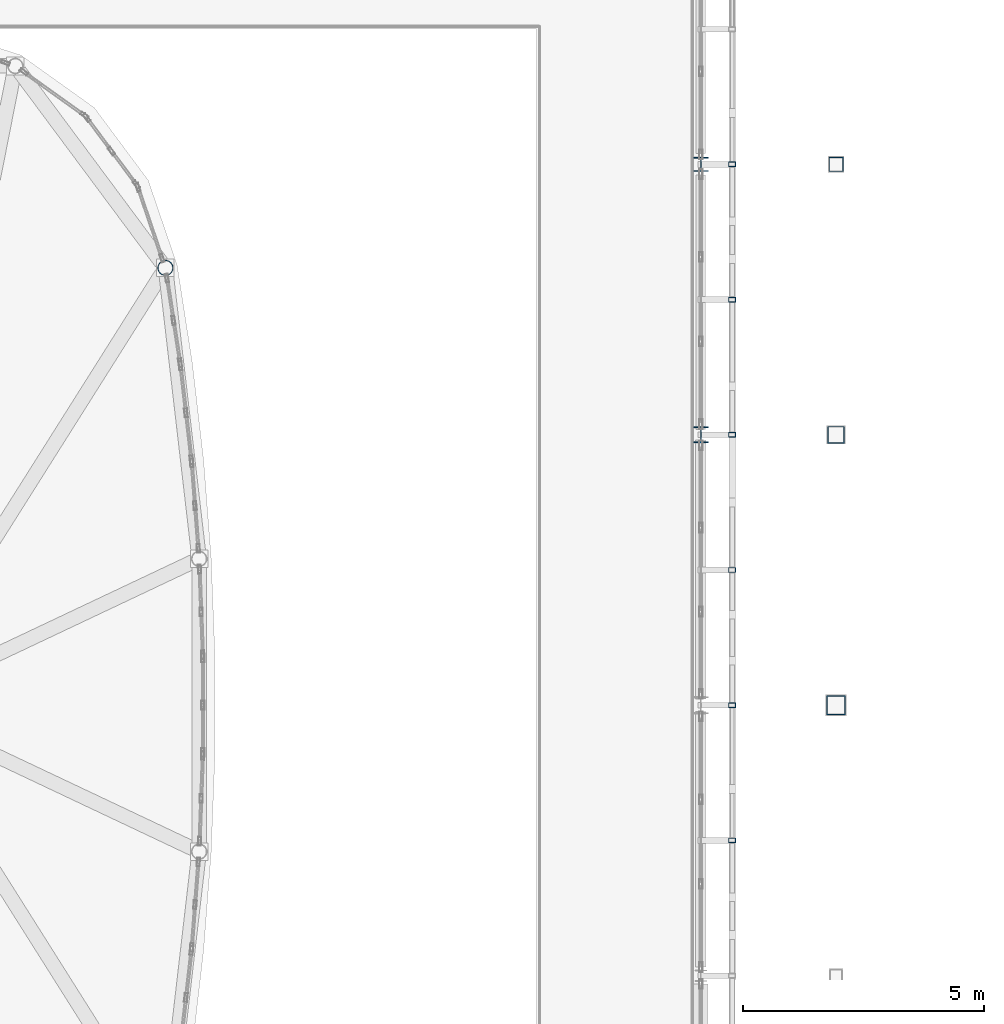
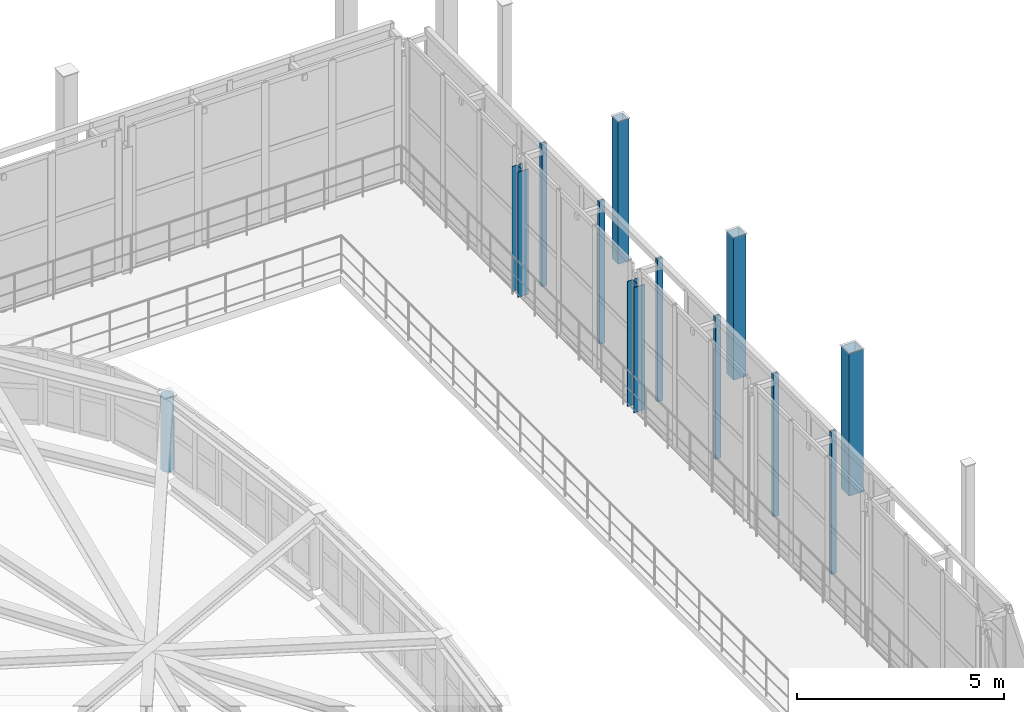
# One storey, part 10 of 78: 12 columns.
"""IFC4 building model written with IfcOpenShell, lengths in metres."""

from ifc_helpers import new_model, si_unit, direction, frame, origin, origin_2d, place, context, subcontext, project, spatial, hollow_rectangle, hollow_circle, i_section, extrude, material, material_profile, profile_set, type_object, element, save


model = new_model("IFC4")

# Units and contexts
model_context = context("Model", 3, precision=1e-05, world=origin(), true_north=direction((0.0, 1.0)))
body_context = subcontext(model_context, "Body", "Model", "MODEL_VIEW")
ifc_project = project(units=[si_unit("LENGTHUNIT", "METRE"), si_unit("AREAUNIT", "SQUARE_METRE"), si_unit("VOLUMEUNIT", "CUBIC_METRE"), si_unit("PLANEANGLEUNIT", "RADIAN"), si_unit("MASSUNIT", "GRAM", prefix="KILO")], contexts=[model_context])

# Site, building, storey
site_placement = place(None, origin())
site = spatial("IfcSite", under=ifc_project, at=site_placement, CompositionType="ELEMENT")
building_placement = place(site_placement, origin())
building = spatial("IfcBuilding", under=site, at=building_placement, Name="Vinh Khe Railworks Police Headquarters", CompositionType="ELEMENT")
storey_placement = place(building_placement, frame((0.0, 0.0, 13.199951171875)))
storey = spatial("IfcBuildingStorey", under=building, at=storey_placement, Name="L03", CompositionType="ELEMENT", Elevation=13.199951171875)

# Columns
ifc_material = material(Name="Steel S355JR", Category="steel")
ifc_material_profile_1 = material_profile(ifc_material, hollow_rectangle(XDim=0.14990234375, YDim=0.10009765625, WallThickness=0.008056640625, at=origin_2d()), Name="RHS 150x100x8")
ifc_profile_set_1 = profile_set([ifc_material_profile_1], Name="Steel S355JR")
column_type_1 = type_object("IfcColumnType", Name="COL-QUILT-POST", PredefinedType="COLUMN", material=ifc_profile_set_1)
for number, where, z_axis, x_axis, name in (
    (1, (60.64990234375, 39.199951171875, 0.0), (0.0, 0.0, 1.0), (1.0, 0.0, 0.0), "Patchwork Quilt Carrier Column E-6 (L03)"),
    (2, (60.64990234375, 42.0, 0.0), (0.0, 0.0, 1.0), (1.0, 0.0, 0.0), "Patchwork Quilt Carrier Column E-7 (L03)"),
    (3, (60.64990234375, 44.800048828125, 0.0), (0.0, 0.0, 1.0), (1.0, 0.0, 0.0), "Patchwork Quilt Carrier Column E-8 (L03)"),
    (4, (60.64990234375, 47.60009765625, 0.0), (0.0, 0.0, 1.0), (1.0, 0.0, 0.0), "Patchwork Quilt Carrier Column E-9 (L03)"),
    (5, (60.64990234375, 50.39990234375, 0.0), (0.0, 0.0, 1.0), (1.0, 0.0, 0.0), "Patchwork Quilt Carrier Column E-10 (L03)"),
    (6, (60.64990234375, 53.199951171875, 0.0), (0.0, 0.0, 1.0), (1.0, 0.0, 0.0), "Patchwork Quilt Carrier Column E-11 (L03)"),
):
    element("IfcColumn", number, at=place(storey_placement, frame(where, z_axis=z_axis, x_axis=x_axis)), inside=storey, type_object=column_type_1, Name=name, PredefinedType="COLUMN", context=body_context, shape_type="SweptSolid", body=[
        extrude(hollow_rectangle(XDim=0.14990234375, YDim=0.10009765625, WallThickness=0.008056640625, at=origin_2d()), origin(), (0.0, 0.0, 1.0), 4.199951171875),
    ])
ifc_material_profile_2 = material_profile(ifc_material, hollow_circle(Radius=0.161865234375, WallThickness=0.01611328125, at=origin_2d()), Name="CHS 323.9x16")
ifc_profile_set_2 = profile_set([ifc_material_profile_2], Name="Steel S355JR")
column_type_2 = type_object("IfcColumnType", Name="Steel Column CHS 323.9x16", PredefinedType="COLUMN", material=ifc_profile_set_2)
column_1_placement = place(storey_placement, frame((48.9130859375, 51.055908203125, 0.0), z_axis=(0.0, 0.0, 1.0), x_axis=(0.946480392435, 0.322761315426, 0.0)))
element("IfcColumn", 7, at=column_1_placement, inside=storey, type_object=column_type_2, Name="Column COL-L03-SC-28-0948", PredefinedType="COLUMN", context=body_context, shape_type="SweptSolid", body=[
    extrude(hollow_circle(Radius=0.161865234375, WallThickness=0.01611328125, at=origin_2d()), origin(), (0.0, 0.0, 1.0), 2.199951171875),
])
ifc_material_profile_3 = material_profile(ifc_material, i_section(OverallWidth=0.300048828125, OverallDepth=0.2900390625, WebThickness=0.008544921875, FlangeThickness=0.013916015625, FilletRadius=0.027099609375, at=origin_2d()), Name="HEA 300")
ifc_profile_set_3 = profile_set([ifc_material_profile_3], Name="Steel S355JR")
column_type_3 = type_object("IfcColumnType", Name="Steel Column HEA 300", PredefinedType="COLUMN", material=ifc_profile_set_3)
column_2_placement = place(storey_placement, frame((60.0, 53.199951171875, 0.0), z_axis=(0.0, 0.0, 1.0), x_axis=(1.0, 0.0, 0.0)))
element("IfcColumn", 8, at=column_2_placement, inside=storey, type_object=column_type_3, Name="Column COL-L03-SC-18-1036", PredefinedType="COLUMN", context=body_context, shape_type="SweptSolid", body=[
    extrude(i_section(OverallWidth=0.300048828125, OverallDepth=0.2900390625, WebThickness=0.008544921875, FlangeThickness=0.013916015625, FilletRadius=0.027099609375, at=origin_2d()), origin(), (0.0, 0.0, 1.0), 3.699951171875),
])
ifc_material_profile_4 = material_profile(ifc_material, i_section(OverallWidth=0.300048828125, OverallDepth=0.330078125, WebThickness=0.009521484375, FlangeThickness=0.0166015625, FilletRadius=0.027099609375, at=origin_2d()), Name="HEA 340")
ifc_profile_set_4 = profile_set([ifc_material_profile_4], Name="Steel S355JR")
column_type_4 = type_object("IfcColumnType", Name="Steel Column HEA 340", PredefinedType="COLUMN", material=ifc_profile_set_4)
column_3_placement = place(storey_placement, frame((60.0, 47.60009765625, 0.0), z_axis=(0.0, 0.0, 1.0), x_axis=(1.0, 0.0, 0.0)))
element("IfcColumn", 9, at=column_3_placement, inside=storey, type_object=column_type_4, Name="Column COL-L03-SC-17-1031", PredefinedType="COLUMN", context=body_context, shape_type="SweptSolid", body=[
    extrude(i_section(OverallWidth=0.300048828125, OverallDepth=0.330078125, WebThickness=0.009521484375, FlangeThickness=0.0166015625, FilletRadius=0.027099609375, at=origin_2d()), origin(), (0.0, 0.0, 1.0), 3.699951171875),
])
ifc_material_profile_5 = material_profile(ifc_material, hollow_rectangle(XDim=0.300048828125, YDim=0.300048828125, WallThickness=0.01611328125, at=origin_2d()), Name="SHS 300x300x16")
ifc_profile_set_5 = profile_set([ifc_material_profile_5], Name="Steel S355JR")
column_type_5 = type_object("IfcColumnType", Name="Steel Column SHS 300x300x16", PredefinedType="COLUMN", material=ifc_profile_set_5)
column_4_placement = place(storey_placement, frame((62.800048828125, 53.199951171875, 0.0), z_axis=(0.0, 0.0, 1.0), x_axis=(1.0, 0.0, 0.0)))
element("IfcColumn", 10, at=column_4_placement, inside=storey, type_object=column_type_5, Name="Column COL-L03-SC-23-1100", PredefinedType="COLUMN", context=body_context, shape_type="SweptSolid", body=[
    extrude(hollow_rectangle(XDim=0.300048828125, YDim=0.300048828125, WallThickness=0.01611328125, at=origin_2d()), origin(), (0.0, 0.0, 1.0), 4.199951171875),
])
ifc_material_profile_6 = material_profile(ifc_material, hollow_rectangle(XDim=0.35009765625, YDim=0.35009765625, WallThickness=0.01611328125, at=origin_2d()), Name="SHS 350x350x16")
ifc_profile_set_6 = profile_set([ifc_material_profile_6], Name="Steel S355JR")
column_type_6 = type_object("IfcColumnType", Name="Steel Column SHS 350x350x16", PredefinedType="COLUMN", material=ifc_profile_set_6)
column_5_placement = place(storey_placement, frame((62.800048828125, 47.60009765625, 0.0), z_axis=(0.0, 0.0, 1.0), x_axis=(1.0, 0.0, 0.0)))
element("IfcColumn", 11, at=column_5_placement, inside=storey, type_object=column_type_6, Name="Column COL-L03-SC-22-1095", PredefinedType="COLUMN", context=body_context, shape_type="SweptSolid", body=[
    extrude(hollow_rectangle(XDim=0.35009765625, YDim=0.35009765625, WallThickness=0.01611328125, at=origin_2d()), origin(), (0.0, 0.0, 1.0), 4.199951171875),
])
ifc_material_profile_7 = material_profile(ifc_material, hollow_rectangle(XDim=0.39990234375, YDim=0.39990234375, WallThickness=0.02001953125, at=origin_2d()), Name="SHS 400x400x20")
ifc_profile_set_7 = profile_set([ifc_material_profile_7], Name="Steel S355JR")
column_type_7 = type_object("IfcColumnType", Name="Steel Column SHS 400x400x20", PredefinedType="COLUMN", material=ifc_profile_set_7)
column_6_placement = place(storey_placement, frame((62.800048828125, 42.0, 0.0), z_axis=(0.0, 0.0, 1.0), x_axis=(1.0, 0.0, 0.0)))
element("IfcColumn", 12, at=column_6_placement, inside=storey, type_object=column_type_7, Name="Column COL-L03-SC-21-1090", PredefinedType="COLUMN", context=body_context, shape_type="SweptSolid", body=[
    extrude(hollow_rectangle(XDim=0.39990234375, YDim=0.39990234375, WallThickness=0.02001953125, at=origin_2d()), origin(), (0.0, 0.0, 1.0), 4.199951171875),
])

save(model, "model.ifc")
